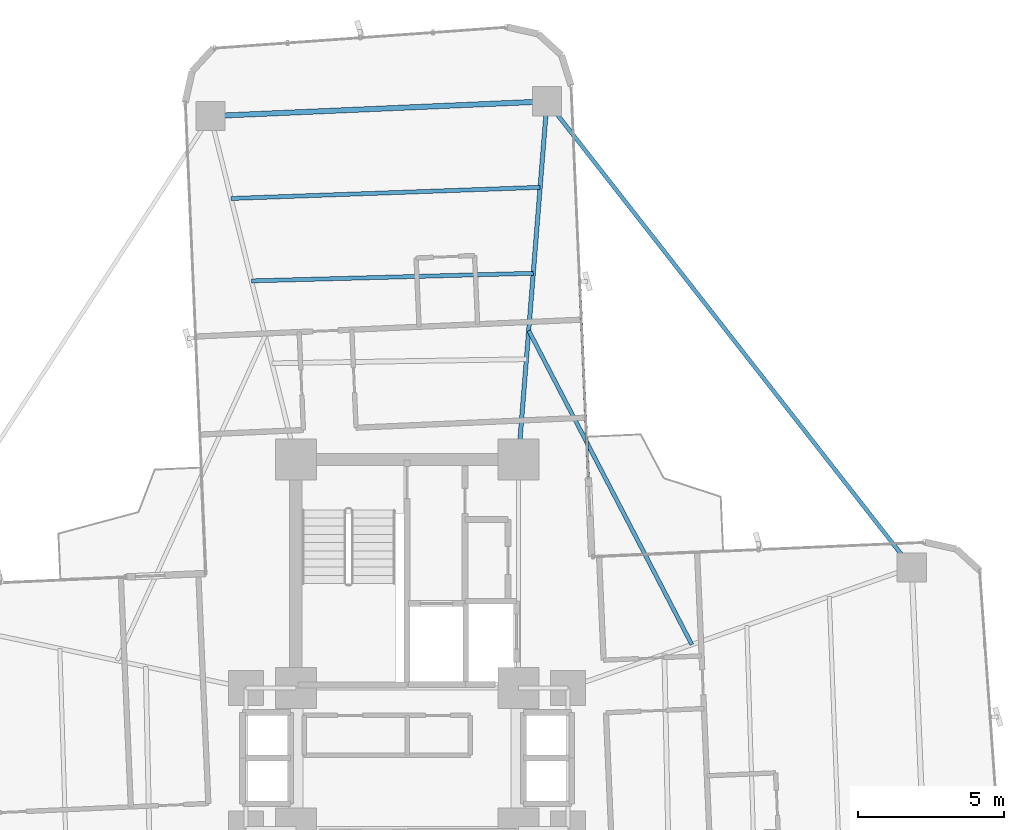
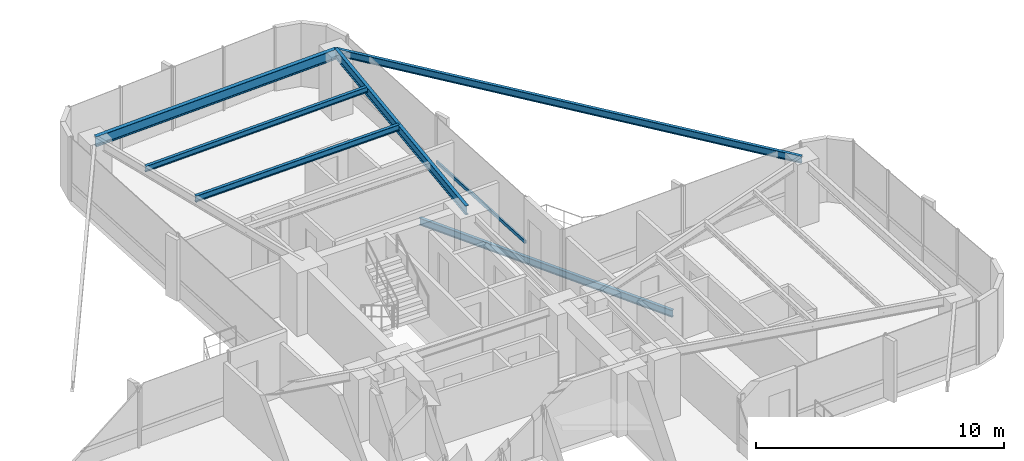
# One storey, part 18 of 26: 6 beams, 1 member, 1 element without a shape of its own.
"""IFC4 building model written with IfcOpenShell, lengths in metres."""

from ifc_helpers import new_model, si_unit, direction, frame, origin, origin_2d, place, context, subcontext, project, spatial, hollow_rectangle, i_section, extrude, source, transform, mapped, material, material_profile, profile_set, type_object, element, aggregate, save


model = new_model("IFC4")

# Units and contexts
model_context = context("Model", 3, precision=1e-05, world=origin(), true_north=direction((0.0, 1.0)))
body_context = subcontext(model_context, "Body", "Model", "MODEL_VIEW")
ifc_project = project(units=[si_unit("LENGTHUNIT", "METRE"), si_unit("AREAUNIT", "SQUARE_METRE"), si_unit("VOLUMEUNIT", "CUBIC_METRE"), si_unit("PLANEANGLEUNIT", "RADIAN"), si_unit("MASSUNIT", "GRAM", prefix="KILO")], contexts=[model_context])

# Site, building, storey
site_placement = place(None, origin())
site = spatial("IfcSite", under=ifc_project, at=site_placement, CompositionType="ELEMENT")
building_placement = place(site_placement, origin())
building = spatial("IfcBuilding", under=site, at=building_placement, Name="Sahyath Konkavel Grand Hotel", CompositionType="ELEMENT")
storey_placement = place(building_placement, frame((0.0, 0.0, 86.85009765625)))
storey = spatial("IfcBuildingStorey", under=building, at=storey_placement, Name="L23", CompositionType="ELEMENT", Elevation=86.85009765625)

# Beams
ifc_material_1 = material(Name="Steel E350", Category="steel")
ifc_material_profile_1 = material_profile(ifc_material_1, i_section(OverallWidth=0.14990234375, OverallDepth=0.449951171875, WebThickness=0.009521484375, FlangeThickness=0.017333984375, FilletRadius=0.014892578125, at=origin_2d()), Name="ISMB 450")
ifc_profile_set_1 = profile_set([ifc_material_profile_1], Name="Steel E350")
beam_type_1 = type_object("IfcBeamType", Name="BM-ISMB450", PredefinedType="BEAM", material=ifc_profile_set_1)
shared_shape_1 = source(origin(), body_context, "Body", "SweptSolid", [
    extrude(i_section(OverallWidth=0.14990234375, OverallDepth=0.449951171875, WebThickness=0.009521484375, FlangeThickness=0.017333984375, FilletRadius=0.014892578125, at=origin_2d()), origin(), (0.0, 0.0, 1.0), 12.2685546875),
])
beam_1_placement = place(storey_placement, frame((3.800048828125, 10.199951171875, 2.885009765625), z_axis=(0.079558563357, 0.996830193662, 0.0), x_axis=(-0.996830193662, 0.079558563357, 0.0)))
element("IfcBeam", 1, at=beam_1_placement, inside=storey, type_object=beam_type_1, Name="L23 Cruciform Radial Girder NA", PredefinedType="BEAM", context=body_context, shape_type="MappedRepresentation", body=[
    mapped(shared_shape_1, transform((0.0, 0.0, 0.0), scale=1.0)),
])
ifc_material_profile_2 = material_profile(ifc_material_1, i_section(OverallWidth=0.179931640625, OverallDepth=0.5, WebThickness=0.01025390625, FlangeThickness=0.01708984375, FilletRadius=0.01708984375, at=origin_2d()), Name="ISMB 500")
ifc_profile_set_2 = profile_set([ifc_material_profile_2], Name="Steel E350")
beam_type_2 = type_object("IfcBeamType", Name="BM-ISMB500", PredefinedType="BEAM", material=ifc_profile_set_2)
shared_shape_2 = source(origin(), body_context, "Body", "SweptSolid", [
    extrude(i_section(OverallWidth=0.179931640625, OverallDepth=0.5, WebThickness=0.01025390625, FlangeThickness=0.01708984375, FilletRadius=0.01708984375, at=origin_2d()), origin(), (0.0, 0.0, 1.0), 11.5),
])
beam_2_placement = place(storey_placement, frame((4.776123046875, 22.4296875, 2.85986328125), z_axis=(-0.99904788879, -0.043627008892, 0.0), x_axis=(0.043627008892, -0.99904788879, 0.0)))
element("IfcBeam", 2, at=beam_2_placement, inside=storey, type_object=beam_type_2, Name="L23 Wing Tip Edge Beam N", PredefinedType="BEAM", context=body_context, shape_type="MappedRepresentation", body=[
    mapped(shared_shape_2, transform((0.0, 0.0, 0.0), scale=1.0)),
])
ifc_material_profile_3 = material_profile(ifc_material_1, i_section(OverallWidth=0.139892578125, OverallDepth=0.35009765625, WebThickness=0.008056640625, FlangeThickness=0.01416015625, FilletRadius=0.013916015625, at=origin_2d()), Name="ISMB 350")
ifc_profile_set_3 = profile_set([ifc_material_profile_3], Name="Steel E350")
beam_type_3 = type_object("IfcBeamType", Name="BM-ISMB350", PredefinedType="BEAM", material=ifc_profile_set_3)
shared_shape_3 = source(origin(), body_context, "Body", "SweptSolid", [
    extrude(i_section(OverallWidth=0.139892578125, OverallDepth=0.35009765625, WebThickness=0.008056640625, FlangeThickness=0.01416015625, FilletRadius=0.013916015625, at=origin_2d()), origin(), (0.0, 0.0, 1.0), 20.215576171875),
])
beam_3_placement = place(storey_placement, frame((17.232421875, 6.5078125, 2.934814453125), z_axis=(-0.616176369687, 0.787608203004, 0.0), x_axis=(-0.787608203004, -0.616176369687, 0.0)))
element("IfcBeam", 3, at=beam_3_placement, inside=storey, type_object=beam_type_3, Name="L23 Re-Entrant Tie Beam NE", PredefinedType="BEAM", context=body_context, shape_type="MappedRepresentation", body=[
    mapped(shared_shape_3, transform((0.0, 0.0, 0.0), scale=1.0)),
])
ifc_material_profile_4 = material_profile(ifc_material_1, i_section(OverallWidth=0.139892578125, OverallDepth=0.300048828125, WebThickness=0.0078125, FlangeThickness=0.01318359375, FilletRadius=0.013916015625, at=origin_2d()), Name="ISMB 300")
ifc_profile_set_4 = profile_set([ifc_material_profile_4], Name="Steel E350")
beam_type_4 = type_object("IfcBeamType", Name="BM-ISMB300", PredefinedType="BEAM", material=ifc_profile_set_4)
shared_shape_4 = source(origin(), body_context, "Body", "SweptSolid", [
    extrude(i_section(OverallWidth=0.139892578125, OverallDepth=0.300048828125, WebThickness=0.0078125, FlangeThickness=0.01318359375, FilletRadius=0.013916015625, at=origin_2d()), origin(), (0.0, 0.0, 1.0), 9.625732421875),
])
beam_4_placement = place(storey_placement, frame((4.3076171875, 16.559326171875, 2.9599609375), z_axis=(-0.999633060528, -0.027087714933, 0.0), x_axis=(0.027087714933, -0.999633060528, 0.0)))
element("IfcBeam", 4, at=beam_4_placement, inside=storey, type_object=beam_type_4, Name="L23 Secondary Floor Beam N-2", PredefinedType="BEAM", context=body_context, shape_type="MappedRepresentation", body=[
    mapped(shared_shape_4, transform((0.0, 0.0, 0.0), scale=1.0)),
])
ifc_material_profile_5 = material_profile(ifc_material_1, i_section(OverallWidth=0.139892578125, OverallDepth=0.27490234375, WebThickness=0.00634765625, FlangeThickness=0.0087890625, FilletRadius=0.012939453125, at=origin_2d()), Name="ISLB 275")
ifc_profile_set_5 = profile_set([ifc_material_profile_5], Name="Steel E350")
beam_type_5 = type_object("IfcBeamType", Name="BM-ISLB275", PredefinedType="BEAM", material=ifc_profile_set_5)
shared_shape_5 = source(origin(), body_context, "Body", "SweptSolid", [
    extrude(i_section(OverallWidth=0.139892578125, OverallDepth=0.27490234375, WebThickness=0.00634765625, FlangeThickness=0.0087890625, FilletRadius=0.012939453125, at=origin_2d()), origin(), (0.0, 0.0, 1.0), 10.562744140625),
])
beam_5_placement = place(storey_placement, frame((4.5419921875, 19.49462890625, 2.972412109375), z_axis=(-0.999348077295, -0.036102914095, 0.0), x_axis=(0.036102914095, -0.999348077295, 0.0)))
element("IfcBeam", 5, at=beam_5_placement, inside=storey, type_object=beam_type_5, Name="L23 Secondary Floor Beam N-3", PredefinedType="BEAM", context=body_context, shape_type="MappedRepresentation", body=[
    mapped(shared_shape_5, transform((0.0, 0.0, 0.0), scale=1.0)),
])

# Curtain wall, member
ifc_material_2 = material(Name="Anodised Bronze Aluminium & Low-E Glazing", Category="aluminium")
curtain_wall_type = type_object("IfcCurtainWallType", Name="CW-ZONE2", PredefinedType="NOTDEFINED", material=ifc_material_2)
curtain_wall_placement = place(storey_placement, origin())
curtain_wall = element("IfcCurtainWall", 6, at=curtain_wall_placement, inside=storey, type_object=curtain_wall_type, Name="L23 Unitised Curtain Wall F8", PredefinedType="NOTDEFINED")
ifc_material_3 = material(Name="Anodised Bronze Aluminium", Category="aluminium")
ifc_material_profile_6 = material_profile(ifc_material_3, hollow_rectangle(XDim=0.080078125, YDim=0.159912109375, WallThickness=0.006103515625, at=origin_2d()), Name="RHS 160x80x6")
ifc_profile_set_6 = profile_set([ifc_material_profile_6], Name="Anodised Bronze Aluminium")
member_type = type_object("IfcMemberType", Name="CW-TRN-160", PredefinedType="USERDEFINED", material=ifc_profile_set_6)
shared_shape_6 = source(origin(), body_context, "Body", "SweptSolid", [
    extrude(hollow_rectangle(XDim=0.080078125, YDim=0.159912109375, WallThickness=0.006103515625, at=origin_2d()), origin(), (0.0, 0.0, 1.0), 6.66015625),
])
member_placement = place(storey_placement, frame((6.186279296875, 9.618896484375, 0.849853515625), z_axis=(-0.043621753165, 0.999048118286, 0.0), x_axis=(-0.999048118286, -0.043621753165, 0.0)))
member = element("IfcMember", 7, at=member_placement, type_object=member_type, Name="L23 Curtain Wall Transom F8-0-spandrel", ObjectType="TRANSOM", PredefinedType="USERDEFINED", context=body_context, shape_type="MappedRepresentation", body=[
    mapped(shared_shape_6, transform((0.0, 0.0, 0.0), scale=1.0)),
])
aggregate(curtain_wall, [member])

# Beam
ifc_material_profile_7 = material_profile(ifc_material_1, i_section(OverallWidth=0.139892578125, OverallDepth=0.35009765625, WebThickness=0.008056640625, FlangeThickness=0.01416015625, FilletRadius=0.013916015625, at=origin_2d()), Name="ISMB 350")
ifc_profile_set_7 = profile_set([ifc_material_profile_7], Name="Steel E350")
beam_type_6 = type_object("IfcBeamType", Name="BM-BALC-CANT", PredefinedType="BEAM", material=ifc_profile_set_7)
shared_shape_7 = source(origin(), body_context, "Body", "SweptSolid", [
    extrude(i_section(OverallWidth=0.139892578125, OverallDepth=0.35009765625, WebThickness=0.008056640625, FlangeThickness=0.01416015625, FilletRadius=0.013916015625, at=origin_2d()), origin(), (0.0, 0.0, 1.0), 12.085205078125),
])
beam_6_placement = place(storey_placement, frame((9.7236328125, 3.87890625, -0.4150390625), z_axis=(-0.461082384626, 0.887357331962, 0.0), x_axis=(-0.887357331962, -0.461082384626, 0.0)))
element("IfcBeam", 8, at=beam_6_placement, inside=storey, type_object=beam_type_6, Name="L23 Balcony Cantilever Support Beam NE", PredefinedType="BEAM", context=body_context, shape_type="MappedRepresentation", body=[
    mapped(shared_shape_7, transform((0.0, 0.0, 0.0), scale=1.0)),
])

save(model, "model.ifc")
